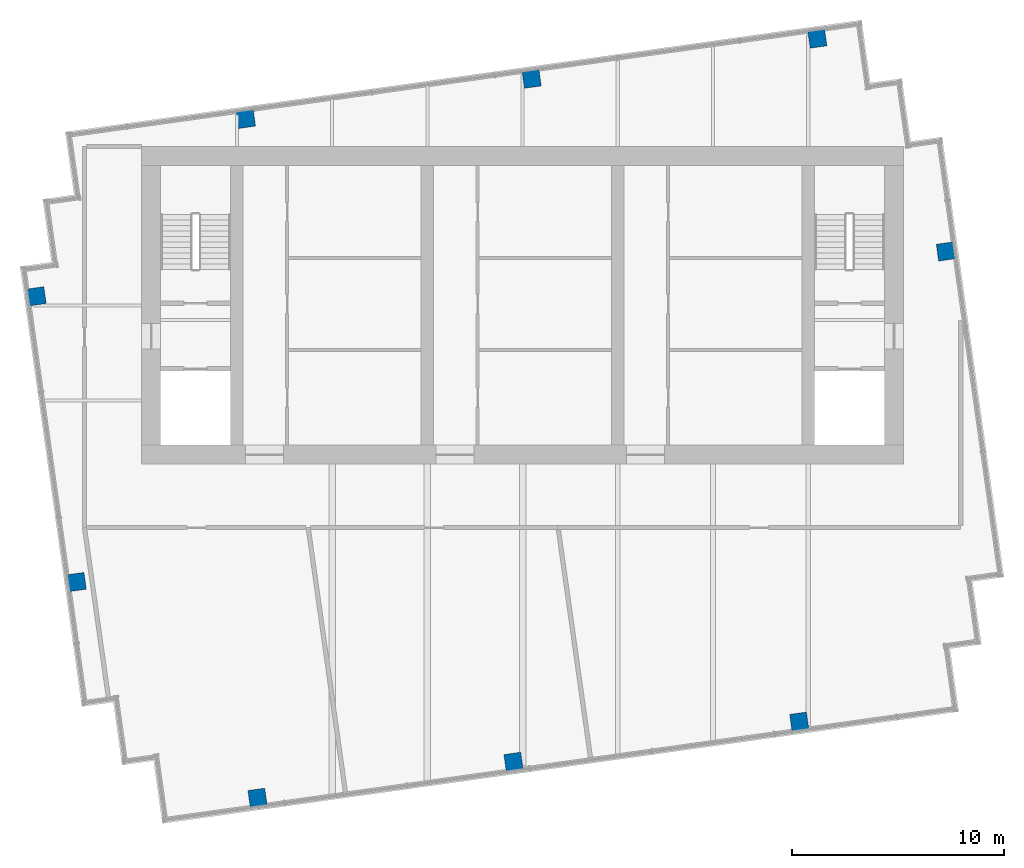
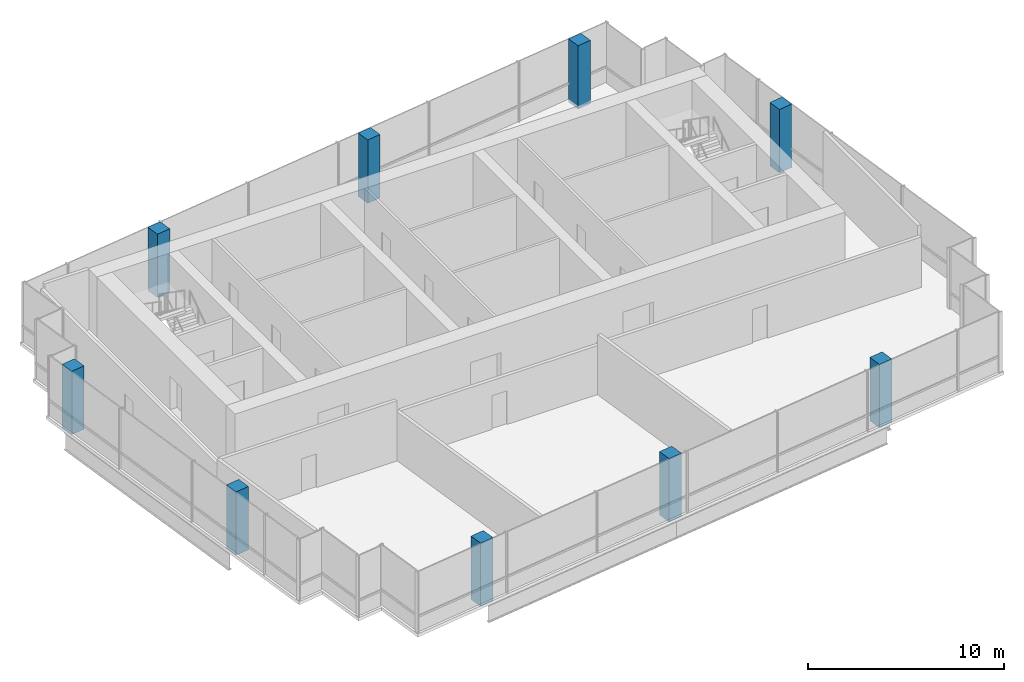
# One storey, part 1 of 9: 9 columns.
"""IFC4 building model written with IfcOpenShell, lengths in metres."""

from ifc_helpers import new_model, si_unit, direction, frame, origin, origin_2d, place, context, subcontext, project, spatial, rectangle, extrude, material, material_profile, profile_set, type_object, element, save


model = new_model("IFC4")

# Units and contexts
model_context = context("Model", 3, precision=1e-05, world=origin(), true_north=direction((0.0, 1.0)))
body_context = subcontext(model_context, "Body", "Model", "MODEL_VIEW")
ifc_project = project(units=[si_unit("LENGTHUNIT", "METRE"), si_unit("AREAUNIT", "SQUARE_METRE"), si_unit("VOLUMEUNIT", "CUBIC_METRE"), si_unit("PLANEANGLEUNIT", "RADIAN"), si_unit("MASSUNIT", "GRAM", prefix="KILO")], contexts=[model_context])

# Site, building, storey
site_placement = place(None, origin())
site = spatial("IfcSite", under=ifc_project, at=site_placement, CompositionType="ELEMENT")
building_placement = place(site_placement, origin())
building = spatial("IfcBuilding", under=site, at=building_placement, Name="Rattan Terrace Tower", CompositionType="ELEMENT")
storey_placement = place(building_placement, frame((0.0, 0.0, 312.300048828125)))
storey = spatial("IfcBuildingStorey", under=building, at=storey_placement, Name="C06", CompositionType="ELEMENT", Elevation=312.300048828125)

# Columns
ifc_material = material(Name="Concrete C40/50", Category="concrete")
ifc_material_profile = material_profile(ifc_material, rectangle(XDim=0.800048828125, YDim=0.800048828125, at=origin_2d()), Name="CFT 800x800")
ifc_profile_set = profile_set([ifc_material_profile], Name="Concrete C40/50")
column_type = type_object("IfcColumnType", Name="Frame lantern column CFT 800x800", PredefinedType="COLUMN", material=ifc_profile_set)
for number, where, z_axis, x_axis, name in (
    (1, (-12.52490234375, -23.26611328125, -0.199951171875), (0.0, 0.0, 1.0), (0.990265639562, 0.139190384377, 0.0), "exo-C06-001"),
    (2, (-0.428955078125, -21.56591796875, -0.199951171875), (0.0, 0.0, 1.0), (0.990265639562, 0.139190384377, 0.0), "exo-C06-002"),
    (3, (13.071044921875, -19.6689453125, -0.199951171875), (0.0, 0.0, 1.0), (0.990265639562, 0.139190384377, 0.0), "exo-C06-003"),
    (4, (-21.06591796875, -13.071044921875, -0.199951171875), (0.0, 0.0, 1.0), (-0.139190384377, 0.990265639562, 0.0), "exo-C06-004"),
    (5, (-22.962890625, 0.428955078125, -0.199951171875), (0.0, 0.0, 1.0), (-0.139190384377, 0.990265639562, 0.0), "exo-C06-005"),
    (6, (19.9990234375, 2.5458984375, -0.199951171875), (0.0, 0.0, 1.0), (-0.139190384377, 0.990265639562, 0.0), "exo-C06-006"),
    (7, (-13.071044921875, 8.80908203125, -0.199951171875), (0.0, 0.0, 1.0), (0.990265639562, 0.139190384377, 0.0), "exo-C06-007"),
    (8, (0.428955078125, 10.70703125, -0.199951171875), (0.0, 0.0, 1.0), (0.990265639562, 0.139190384377, 0.0), "exo-C06-008"),
    (9, (13.928955078125, 12.60400390625, -0.199951171875), (0.0, 0.0, 1.0), (0.990265639562, 0.139190384377, 0.0), "exo-C06-009"),
):
    element("IfcColumn", number, at=place(storey_placement, frame(where, z_axis=z_axis, x_axis=x_axis)), inside=storey, type_object=column_type, Name=name, PredefinedType="COLUMN", context=body_context, shape_type="SweptSolid", body=[
        extrude(rectangle(XDim=0.800048828125, YDim=0.800048828125, at=origin_2d()), origin(), (0.0, 0.0, 1.0), 3.949951171875),
    ])

save(model, "model.ifc")
